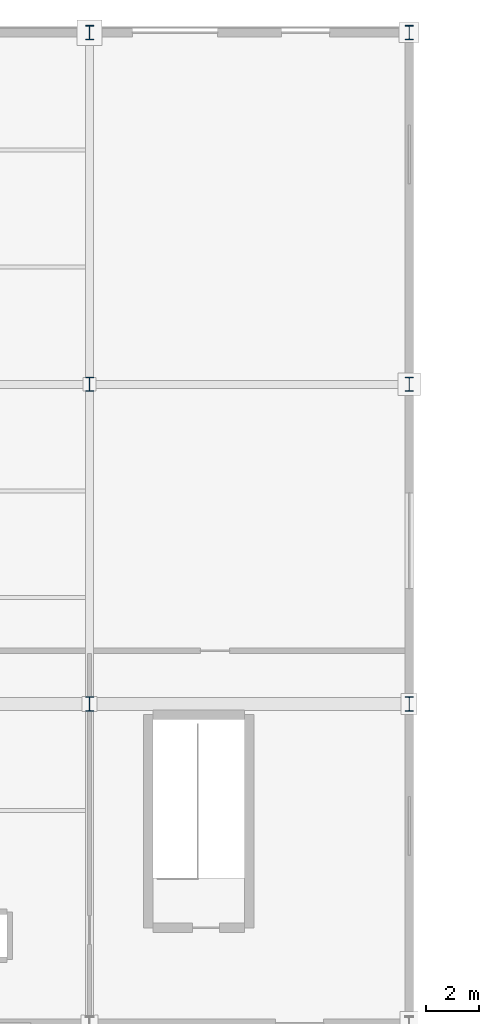
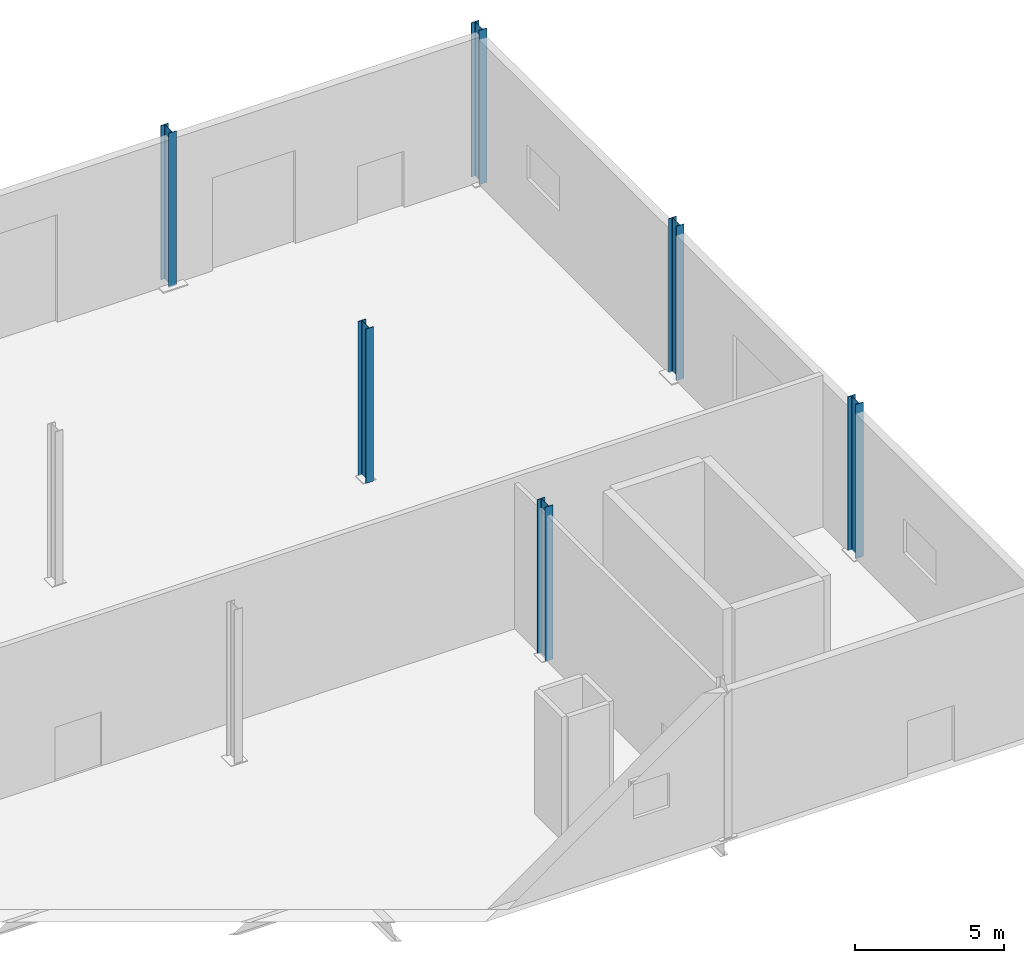
# One storey, part 23 of 196: 6 columns.
"""IFC4 building model written with IfcOpenShell, lengths in metres."""

from ifc_helpers import new_model, si_unit, direction, frame, origin, origin_2d, place, context, subcontext, project, spatial, i_section, extrude, material, material_profile, profile_set, type_object, element, save


model = new_model("IFC4")

# Units and contexts
model_context = context("Model", 3, precision=1e-05, world=origin(), true_north=direction((0.0, 1.0)))
body_context = subcontext(model_context, "Body", "Model", "MODEL_VIEW")
ifc_project = project(units=[si_unit("LENGTHUNIT", "METRE"), si_unit("AREAUNIT", "SQUARE_METRE"), si_unit("VOLUMEUNIT", "CUBIC_METRE"), si_unit("PLANEANGLEUNIT", "RADIAN"), si_unit("MASSUNIT", "GRAM", prefix="KILO")], contexts=[model_context])

# Site, building, storey
site_placement = place(None, origin())
site = spatial("IfcSite", under=ifc_project, at=site_placement, CompositionType="ELEMENT")
building_placement = place(site_placement, origin())
building = spatial("IfcBuilding", under=site, at=building_placement, Name="Merenkruunu Market Hall", CompositionType="ELEMENT")
storey_placement = place(building_placement, origin())
storey = spatial("IfcBuildingStorey", under=building, at=storey_placement, Name="L00", CompositionType="ELEMENT", Elevation=0.0)

# Columns
ifc_material = material(Name="Steel S355J2", Category="steel")
ifc_material_profile = material_profile(ifc_material, i_section(OverallWidth=0.300048828125, OverallDepth=0.5400390625, WebThickness=0.012451171875, FlangeThickness=0.02392578125, FilletRadius=0.027099609375, at=origin_2d()), Name="HEA 550")
ifc_profile_set = profile_set([ifc_material_profile], Name="Steel S355J2")
column_type = type_object("IfcColumnType", Name="Structural Column C06", PredefinedType="COLUMN", material=ifc_profile_set)
for number, where, z_axis, x_axis, name in (
    (1, (136.800048828125, 99.60009765625, 0.0), (0.0, 0.0, 1.0), (1.0, 0.0, 0.0), "COL-L00-P-11"),
    (2, (136.800048828125, 111.60009765625, 0.0), (0.0, 0.0, 1.0), (1.0, 0.0, 0.0), "COL-L00-P-12"),
    (3, (136.800048828125, 124.800048828125, 0.0), (0.0, 0.0, 1.0), (1.0, 0.0, 0.0), "COL-L00-P-13"),
    (4, (148.800048828125, 99.60009765625, 0.0), (0.0, 0.0, 1.0), (1.0, 0.0, 0.0), "COL-L00-Q-11"),
    (5, (148.800048828125, 111.60009765625, 0.0), (0.0, 0.0, 1.0), (1.0, 0.0, 0.0), "COL-L00-Q-12"),
    (6, (148.800048828125, 124.800048828125, 0.0), (0.0, 0.0, 1.0), (1.0, 0.0, 0.0), "COL-L00-Q-13"),
):
    element("IfcColumn", number, at=place(storey_placement, frame(where, z_axis=z_axis, x_axis=x_axis)), inside=storey, type_object=column_type, Name=name, PredefinedType="COLUMN", context=body_context, shape_type="SweptSolid", body=[
        extrude(i_section(OverallWidth=0.300048828125, OverallDepth=0.5400390625, WebThickness=0.012451171875, FlangeThickness=0.02392578125, FilletRadius=0.027099609375, at=origin_2d()), origin(), (0.0, 0.0, 1.0), 6.300048828125),
    ])

save(model, "model.ifc")
